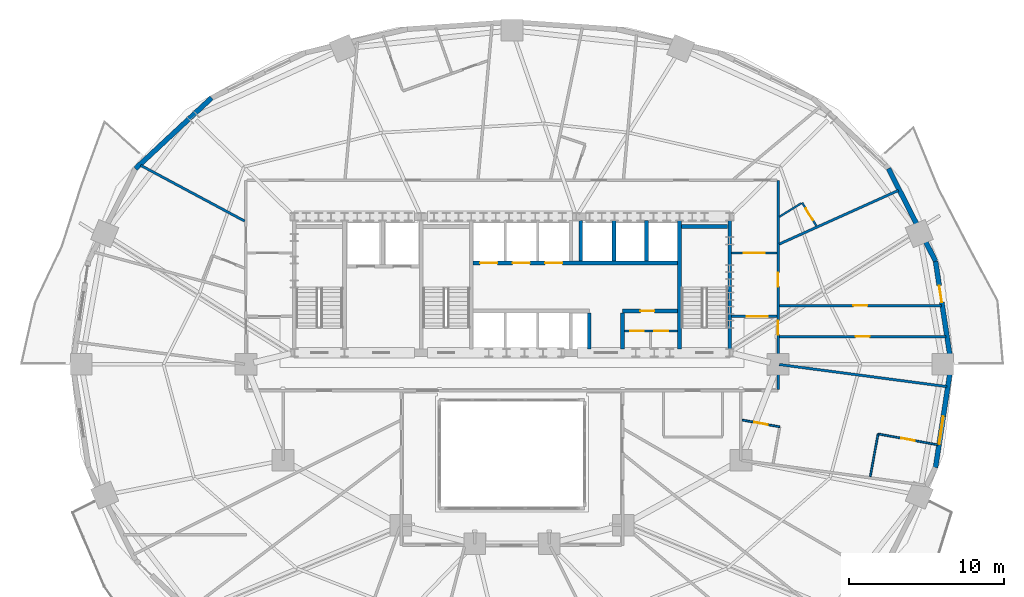
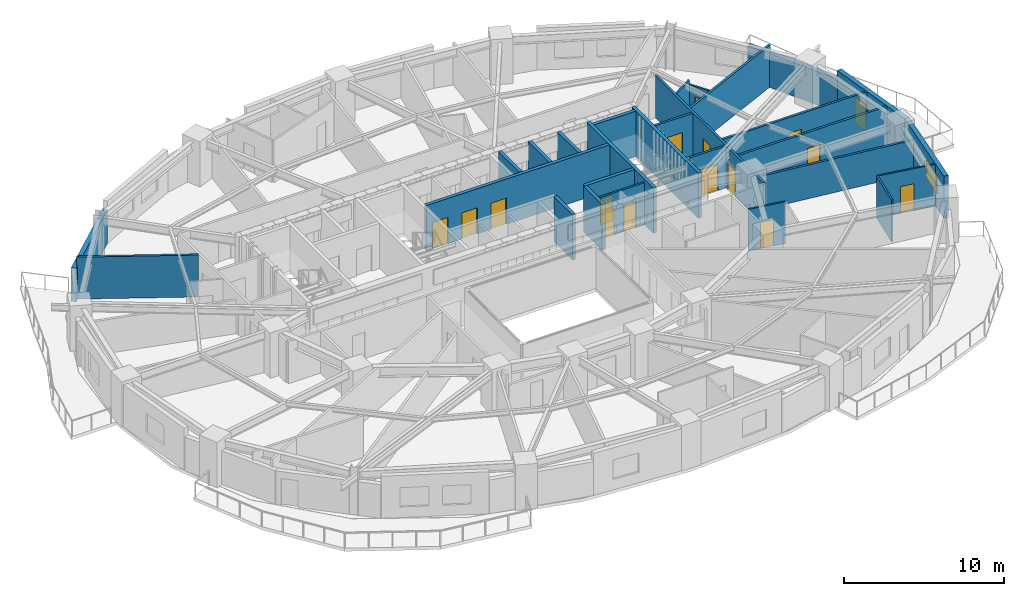
# One storey, part 10 of 15: 28 walls, 16 doors, 1 window, 17 openings.
"""IFC4 building model written with IfcOpenShell, lengths in metres."""

import ifcopenshell
import ifcopenshell.guid

model = None  # the IFC model being written
_history = None  # IfcOwnerHistory: only IFC2X3 demands one
_inside = {}  # id of a spatial element -> (the spatial element, [elements in it])
_under = {}  # id of a project, library or spatial element -> (it, [spatial elements below it])
_declared = {}  # id of a project -> (the project, [libraries it declares])
_typed = {}  # id of a type object -> (the type object, [elements of that type])
_made_of = {}  # id of a material, layer set ... -> (it, [elements and type objects made of it])


def new_model(schema):
    """Start an empty IFC model of exactly this schema.

    Asked for "IFC4X3", IfcOpenShell would pick the latest addendum, in which some entities
    have other attributes; the version numbers below select the first issue.
    IFC2X3 requires an IfcOwnerHistory on every rooted entity: one is made here for all.
    """
    global model, _history
    if schema == "IFC4X3":
        model = ifcopenshell.file(schema_version=(4, 3, 0, 0))
    else:
        model = ifcopenshell.file(schema=schema)
    _inside.clear()
    _under.clear()
    _declared.clear()
    _typed.clear()
    _made_of.clear()
    _history = None
    if model.schema == "IFC2X3":
        org = make("IfcOrganization", Name="unknown")
        user = make(
            "IfcPersonAndOrganization",
            ThePerson=make("IfcPerson", FamilyName="unknown"),
            TheOrganization=org,
        )
        app = make(
            "IfcApplication",
            ApplicationDeveloper=org,
            Version="unknown",
            ApplicationFullName="unknown",
            ApplicationIdentifier="unknown",
        )
        _history = make(
            "IfcOwnerHistory",
            OwningUser=user,
            OwningApplication=app,
            ChangeAction="ADDED",
            CreationDate=0,
        )
    return model


def make(cls, **values):
    """One entity of the class cls with the attributes given. An attribute that is None is left unset."""
    return model.create_entity(
        cls, **{name: value for name, value in values.items() if value is not None}
    )


def rooted(cls, **values):
    """An entity with a GlobalId (a new one), such as an element, a storey or a relation."""
    return make(cls, GlobalId=ifcopenshell.guid.new(), OwnerHistory=_history, **values)


def si_unit(unit_type, name, prefix=None):
    """IfcSIUnit, for example si_unit("LENGTHUNIT", "METRE", prefix="MILLI")."""
    return make("IfcSIUnit", UnitType=unit_type, Prefix=prefix, Name=name)


def assignment(units):
    """IfcUnitAssignment: the units of a project."""
    return None if units is None else make("IfcUnitAssignment", Units=units)


def point(xyz):
    """IfcCartesianPoint."""
    return None if xyz is None else make("IfcCartesianPoint", Coordinates=xyz)


def direction(xyz):
    """IfcDirection."""
    return None if xyz is None else make("IfcDirection", DirectionRatios=xyz)


def frame(location, z_axis=None, x_axis=None):
    """IfcAxis2Placement3D, a coordinate frame: its origin and axes. An axis left out is left unset."""
    return make(
        "IfcAxis2Placement3D",
        Location=point(location),
        Axis=direction(z_axis),
        RefDirection=direction(x_axis),
    )


def frame_2d(location, x_axis=None):
    """IfcAxis2Placement2D, a coordinate frame in the plane: its origin and x axis."""
    return make(
        "IfcAxis2Placement2D", Location=point(location), RefDirection=direction(x_axis)
    )


def origin():
    """The frame at (0, 0, 0) with its axes left unset."""
    return frame((0.0, 0.0, 0.0))


def place(relative_to, where):
    """IfcLocalPlacement: puts the frame where relative to a parent placement (None: the world)."""
    return make(
        "IfcLocalPlacement", PlacementRelTo=relative_to, RelativePlacement=where
    )


def context(
    kind, dimensions, precision=None, world=None, true_north=None, identifier=None
):
    """IfcGeometricRepresentationContext, for example the 3D "Model" context."""
    return make(
        "IfcGeometricRepresentationContext",
        ContextIdentifier=identifier,
        ContextType=kind,
        CoordinateSpaceDimension=dimensions,
        Precision=precision,
        WorldCoordinateSystem=world,
        TrueNorth=true_north,
    )


def subcontext(parent, identifier, kind, view, scale=None):
    """IfcGeometricRepresentationSubContext, for example "Body" below "Model"."""
    return make(
        "IfcGeometricRepresentationSubContext",
        ContextIdentifier=identifier,
        ContextType=kind,
        ParentContext=parent,
        TargetScale=scale,
        TargetView=view,
    )


def project(units=None, contexts=None):
    """IfcProject with its units and contexts."""
    return rooted(
        "IfcProject",
        Name="project",
        RepresentationContexts=contexts,
        UnitsInContext=assignment(units),
    )


def spatial(cls, under=None, at=None, **own):
    """A site, building, storey or space (cls), placed at a placement, below another one or the project."""
    s = rooted(cls, ObjectPlacement=at, **own)
    if under is not None:
        _under.setdefault(under.id(), (under, []))[1].append(s)
    return s


def profile(cls, at=None, kind="AREA", **sizes):
    """A parametric profile (cls). Its sizes go by their IFC names, for example OverallWidth=200.0."""
    return make(cls, ProfileType=kind, Position=at, **sizes)


def rectangle(**sizes):
    """IfcRectangleProfileDef."""
    return profile("IfcRectangleProfileDef", **sizes)


def extrude(swept, where, along, depth):
    """IfcExtrudedAreaSolid: the profile swept, set in the frame where, extruded along a direction by depth."""
    return make(
        "IfcExtrudedAreaSolid",
        SweptArea=swept,
        Position=where,
        ExtrudedDirection=direction(along),
        Depth=depth,
    )


def shape(context_of_items, identifier, shape_type, items):
    """IfcShapeRepresentation: the items that make up one representation, for example the "Body"."""
    return make(
        "IfcShapeRepresentation",
        ContextOfItems=context_of_items,
        RepresentationIdentifier=identifier,
        RepresentationType=shape_type,
        Items=items,
    )


def material(Name=None, Category=None):
    """IfcMaterial."""
    return make("IfcMaterial", Name=Name, Category=Category)


def layer(
    of_material, thickness, ventilated=None, Name=None, Category=None, Priority=None
):
    """IfcMaterialLayer: one layer of a wall or slab, of a material (None: an air gap)."""
    return make(
        "IfcMaterialLayer",
        Material=of_material,
        LayerThickness=thickness,
        IsVentilated=ventilated,
        Name=Name,
        Category=Category,
        Priority=Priority,
    )


def layer_set(layers, Name=None):
    """IfcMaterialLayerSet."""
    return make("IfcMaterialLayerSet", MaterialLayers=layers, LayerSetName=Name)


def made_of(thing, what):
    """Note that an element or type object is made of a material, layer set ...; save() writes the relation."""
    if what is not None:
        _made_of.setdefault(what.id(), (what, []))[1].append(thing)
    return thing


def type_object(cls, material=None, **own):
    """A type object (cls), such as IfcWallType, which elements share."""
    return made_of(rooted(cls, **own), material)


def element(
    cls,
    number,
    at=None,
    inside=None,
    cuts=None,
    type_object=None,
    material=None,
    context=None,
    identifier="Body",
    shape_type=None,
    held_by="IfcProductDefinitionShape",
    body=None,
    shapes=None,
    **own,
):
    """One element of the class cls, such as IfcWall. Its Tag is "e" and its number.

    at: its placement. inside: the storey or other place that contains it. cuts: it is an
    opening in that element (IfcRelVoidsElement). A single representation is given by context,
    identifier, shape_type and body (its items); several are given by shapes. held_by: the class
    of the entity that holds the representations. save() writes the other relations.
    """
    e = rooted(cls, Tag="e%d" % number, ObjectPlacement=at, **own)
    if body is not None:
        shapes = [shape(context, identifier, shape_type, body)]
    if shapes is not None:
        e.Representation = make(held_by, Representations=shapes)
    if inside is not None:
        _inside.setdefault(inside.id(), (inside, []))[1].append(e)
    if cuts is not None:
        rooted(
            "IfcRelVoidsElement", RelatingBuildingElement=cuts, RelatedOpeningElement=e
        )
    if type_object is not None:
        _typed.setdefault(type_object.id(), (type_object, []))[1].append(e)
    return made_of(e, material)


def fill(opening, filler):
    """IfcRelFillsElement: the door or window that sits in an opening."""
    return rooted(
        "IfcRelFillsElement",
        RelatingOpeningElement=opening,
        RelatedBuildingElement=filler,
    )


def aggregate(whole, parts):
    """IfcRelAggregates: a whole, such as a stair, and the parts it consists of."""
    return rooted("IfcRelAggregates", RelatingObject=whole, RelatedObjects=parts)


def save(model, path):
    """Write the relations noted so far, then the file.

    IfcRelAggregates (storeys below a building ...), IfcRelContainedInSpatialStructure (elements
    in a storey), IfcRelDefinesByType, IfcRelAssociatesMaterial and IfcRelDeclares: one each for
    every whole, place, type object, material and project.
    """
    for whole, parts in _under.values():
        aggregate(whole, parts)
    for where, things in _inside.values():
        rooted(
            "IfcRelContainedInSpatialStructure",
            RelatedElements=things,
            RelatingStructure=where,
        )
    for kind, things in _typed.values():
        rooted("IfcRelDefinesByType", RelatedObjects=things, RelatingType=kind)
    for what, things in _made_of.values():
        rooted("IfcRelAssociatesMaterial", RelatedObjects=things, RelatingMaterial=what)
    for by, libraries in _declared.values():
        rooted("IfcRelDeclares", RelatingContext=by, RelatedDefinitions=libraries)
    model.write(path)


model = new_model("IFC4")

# Units and contexts
model_context = context("Model", 3, precision=1e-05, world=origin(), true_north=direction((0.0, 1.0)))
body_context = subcontext(model_context, "Body", "Model", "MODEL_VIEW")
ifc_project = project(units=[si_unit("LENGTHUNIT", "METRE"), si_unit("AREAUNIT", "SQUARE_METRE"), si_unit("VOLUMEUNIT", "CUBIC_METRE"), si_unit("PLANEANGLEUNIT", "RADIAN"), si_unit("MASSUNIT", "GRAM", prefix="KILO")], contexts=[model_context])

# Site, building, storey
site_placement = place(None, origin())
site = spatial("IfcSite", under=ifc_project, at=site_placement, CompositionType="ELEMENT")
building_placement = place(site_placement, origin())
building = spatial("IfcBuilding", under=site, at=building_placement, Name="Haldorwick Loom Tower", CompositionType="ELEMENT")
storey_placement = place(building_placement, frame((0.0, 0.0, 81.800048828125)))
storey = spatial("IfcBuildingStorey", under=building, at=storey_placement, Name="L21", CompositionType="ELEMENT", Elevation=81.800048828125)

# Wall, opening, door
ifc_material_1 = material(Name="Pressed Clay Face Brick and Insulated Masonry Backup Assembly", Category="masonry")
ifc_layer_1 = layer(ifc_material_1, 0.320068359375, Name="Pressed Clay Face Brick and Insulated Masonry Backup Assembly", Category="masonry")
ifc_layer_set_1 = layer_set([ifc_layer_1], Name="Pressed Clay Face Brick and Insulated Masonry Backup Assembly")
wall_type_1 = type_object("IfcWallType", Name="ARC-WL-EXT320", PredefinedType="STANDARD", material=ifc_layer_set_1)
wall_1_placement = place(storey_placement, frame((64.397705078125, 26.0, 0.0), z_axis=(0.0, 0.0, 1.0), x_axis=(-0.150633288003, 0.988589708901, 0.0)))
wall_1 = element("IfcWall", 1, at=wall_1_placement, inside=storey, type_object=wall_type_1, Name="L21 Brick Pier and Spandrel Wall 1", PredefinedType="STANDARD", context=body_context, shape_type="SweptSolid", body=[
    extrude(rectangle(XDim=6.752197265625, YDim=0.320068359375, at=frame_2d((3.3759765625, 0.0))), origin(), (0.0, 0.0, 1.0), 3.2099609375),
])
opening_1_placement = place(wall_1_placement, frame((4.069091796875, 0.0, 0.0)))
opening_1 = element("IfcOpeningElement", 2, at=opening_1_placement, cuts=wall_1, Name="Opening D-BL11", PredefinedType="OPENING", context=body_context, shape_type="SweptSolid", body=[
    extrude(rectangle(XDim=1.080078125, YDim=2.0400390625, at=frame_2d((0.5400390625, 1.02001953125))), frame((0.0, 0.169921875, 0.0), z_axis=(0.0, -1.0, 0.0), x_axis=(1.0, 0.0, 0.0)), (0.0, 0.0, 1.0), 0.340087890625),
])
ifc_material_2 = material(Name="Thermally Broken Anodized Aluminium Curtain Wall Framing", Category="aluminium")
door_type_1 = type_object("IfcDoorType", Name="ARC-DR-BAL110", OperationType="NOTDEFINED", PredefinedType="DOOR", material=ifc_material_2)
door_1_placement = place(opening_1_placement, origin())
door_1 = element("IfcDoor", 3, at=door_1_placement, inside=storey, type_object=door_type_1, Name="L21 Outdoor Terrace Door SLB-L21-BAL_ENE", OperationType="SINGLE_SWING_LEFT", OverallHeight=2.0400390625, OverallWidth=1.080078125, PredefinedType="DOOR", context=body_context, shape_type="SweptSolid", body=[
    extrude(rectangle(XDim=1.080078125, YDim=2.0400390625, at=frame_2d((0.5400390625, 1.02001953125))), frame((0.0, 0.02490234375, 0.0), z_axis=(0.0, -1.0, 0.0), x_axis=(1.0, 0.0, 0.0)), (0.0, 0.0, 1.0), 0.050048828125),
])
fill(opening_1, door_1)

# Walls
wall_2_placement = place(storey_placement, frame((63.380615234375, 32.675048828125, 0.0), z_axis=(0.0, 0.0, 1.0), x_axis=(-0.453374078001, 0.89132033826, 0.0)))
element("IfcWall", 4, at=wall_2_placement, inside=storey, type_object=wall_type_1, Name="L21 Brick Pier and Spandrel Wall 2", PredefinedType="STANDARD", context=body_context, shape_type="SweptSolid", body=[
    extrude(rectangle(XDim=6.709716796875, YDim=0.320068359375, at=frame_2d((3.35498046875, 0.0))), origin(), (0.0, 0.0, 1.0), 2.56884765625),
])
wall_3_placement = place(storey_placement, frame((16.573486328125, 43.2255859375, 0.0), z_axis=(0.0, 0.0, 1.0), x_axis=(-0.732137360086, -0.681157020052, 0.0)))
element("IfcWall", 5, at=wall_3_placement, inside=storey, type_object=wall_type_1, Name="L21 Brick Pier and Spandrel Wall 10", PredefinedType="STANDARD", context=body_context, shape_type="SweptSolid", body=[
    extrude(rectangle(XDim=6.709228515625, YDim=0.320068359375, at=frame_2d((3.3544921875, 0.0))), origin(), (0.0, 0.0, 1.0), 2.56884765625),
])

# Wall, opening, window
wall_4_placement = place(storey_placement, frame((63.380615234375, 19.324951171875, 0.0), z_axis=(0.0, 0.0, 1.0), x_axis=(0.150633288003, 0.988589708901, 0.0)))
wall_4 = element("IfcWall", 6, at=wall_4_placement, inside=storey, type_object=wall_type_1, Name="L21 Brick Pier and Spandrel Wall 24", PredefinedType="STANDARD", context=body_context, shape_type="SweptSolid", body=[
    extrude(rectangle(XDim=6.752197265625, YDim=0.320068359375, at=frame_2d((3.3759765625, 0.0))), origin(), (0.0, 0.0, 1.0), 3.2099609375),
])
opening_2_placement = place(wall_4_placement, frame((1.54345703125, 0.0, 0.800048828125)))
opening_2 = element("IfcOpeningElement", 7, at=opening_2_placement, cuts=wall_4, Name="Opening W-01", PredefinedType="OPENING", context=body_context, shape_type="SweptSolid", body=[
    extrude(rectangle(XDim=1.800048828125, YDim=1.47998046875, at=frame_2d((0.89990234375, 0.739990234375))), frame((0.0, 0.169921875, 0.0), z_axis=(0.0, -1.0, 0.0), x_axis=(1.0, 0.0, 0.0)), (0.0, 0.0, 1.0), 0.340087890625),
])
ifc_material_3 = material(Name="Triple-Glazed Low-E Argon Insulated Glazing Unit", Category="glass")
window_type = type_object("IfcWindowType", Name="ARC-WIN-W180", PartitioningType="SINGLE_PANEL", PredefinedType="WINDOW", material=ifc_material_3)
window_placement = place(opening_2_placement, origin())
window = element("IfcWindow", 8, at=window_placement, inside=storey, type_object=window_type, Name="L21 Deep-Set Zone 7A Window 24", OverallHeight=1.47998046875, OverallWidth=1.800048828125, PartitioningType="SINGLE_PANEL", PredefinedType="WINDOW", context=body_context, shape_type="SweptSolid", body=[
    extrude(rectangle(XDim=1.800048828125, YDim=1.47998046875, at=frame_2d((0.89990234375, 0.739990234375))), frame((0.0, 0.030029296875, 0.0), z_axis=(0.0, -1.0, 0.0), x_axis=(1.0, 0.0, 0.0)), (0.0, 0.0, 1.0), 0.06005859375),
])
fill(opening_2, window)

# Wall, openings, doors
ifc_material_4 = material(Name="Fire-Rated Type X Gypsum Stud Assembly EI 60")
ifc_layer_2 = layer(ifc_material_4, 0.159912109375, Name="Fire-Rated Type X Gypsum Stud Assembly EI 60")
ifc_layer_set_2 = layer_set([ifc_layer_2], Name="Fire-Rated Type X Gypsum Stud Assembly EI 60")
wall_type_2 = type_object("IfcWallType", Name="ARC-WL-FIRE160", PredefinedType="PARTITIONING", material=ifc_layer_set_2)
wall_5_placement = place(storey_placement, frame((53.199951171875, 24.383056640625, 0.0), z_axis=(0.0, 0.0, 1.0), x_axis=(0.0, 1.0, 0.0)))
wall_5 = element("IfcWall", 9, at=wall_5_placement, inside=storey, type_object=wall_type_2, Name="L21 Residential Fire Partition L21-CR-E0", PredefinedType="PARTITIONING", context=body_context, shape_type="SweptSolid", body=[
    extrude(rectangle(XDim=13.516845703125, YDim=0.159912109375, at=frame_2d((6.75830078125, 0.0))), origin(), (0.0, 0.0, 1.0), 3.195068359375),
])
opening_3_placement = place(wall_5_placement, frame((3.53857421875, 0.0, 0.0)))
opening_3 = element("IfcOpeningElement", 10, at=opening_3_placement, cuts=wall_5, Name="Opening D-FD60A", PredefinedType="OPENING", context=body_context, shape_type="SweptSolid", body=[
    extrude(rectangle(XDim=0.89990234375, YDim=2.0, at=frame_2d((0.449951171875, 1.0))), frame((0.0, 0.08984375, 0.0), z_axis=(0.0, -1.0, 0.0), x_axis=(1.0, 0.0, 0.0)), (0.0, 0.0, 1.0), 0.179931640625),
])
opening_4_placement = place(wall_5_placement, frame((6.640869140625, 0.0, 0.0)))
opening_4 = element("IfcOpeningElement", 11, at=opening_4_placement, cuts=wall_5, Name="Opening D-FD60A", PredefinedType="OPENING", context=body_context, shape_type="SweptSolid", body=[
    extrude(rectangle(XDim=0.89990234375, YDim=2.0, at=frame_2d((0.449951171875, 1.0))), frame((0.0, 0.08984375, 0.0), z_axis=(0.0, -1.0, 0.0), x_axis=(1.0, 0.0, 0.0)), (0.0, 0.0, 1.0), 0.179931640625),
])
ifc_material_5 = material(Name="Hollow Steel Fire Door Assembly", Category="steel")
door_type_2 = type_object("IfcDoorType", Name="ARC-DR-FD60-90", OperationType="NOTDEFINED", PredefinedType="DOOR", material=ifc_material_5)
door_2_placement = place(opening_3_placement, origin())
door_2 = element("IfcDoor", 12, at=door_2_placement, inside=storey, type_object=door_type_2, Name="L21 L21 Central Residential Corridor to L21 East Daylight Corridor Door", OperationType="SINGLE_SWING_LEFT", OverallHeight=2.0, OverallWidth=0.89990234375, PredefinedType="DOOR", context=body_context, shape_type="SweptSolid", body=[
    extrude(rectangle(XDim=0.89990234375, YDim=2.0, at=frame_2d((0.449951171875, 1.0))), frame((0.0, 0.02490234375, 0.0), z_axis=(0.0, -1.0, 0.0), x_axis=(1.0, 0.0, 0.0)), (0.0, 0.0, 1.0), 0.050048828125),
])
fill(opening_3, door_2)
door_3_placement = place(opening_4_placement, origin())
door_3 = element("IfcDoor", 13, at=door_3_placement, inside=storey, type_object=door_type_2, Name="L21 L21 East Residential Corridor to Shared Resident Dining Hall 4 Door", OperationType="SINGLE_SWING_LEFT", OverallHeight=2.0, OverallWidth=0.89990234375, PredefinedType="DOOR", context=body_context, shape_type="SweptSolid", body=[
    extrude(rectangle(XDim=0.89990234375, YDim=2.0, at=frame_2d((0.449951171875, 1.0))), frame((0.0, 0.02490234375, 0.0), z_axis=(0.0, -1.0, 0.0), x_axis=(1.0, 0.0, 0.0)), (0.0, 0.0, 1.0), 0.050048828125),
])
fill(opening_4, door_3)

# Wall, opening, door
wall_6_placement = place(storey_placement, frame((50.193115234375, 29.10009765625, 0.0), z_axis=(0.0, 0.0, 1.0), x_axis=(1.0, 0.0, 0.0)))
wall_6 = element("IfcWall", 14, at=wall_6_placement, inside=storey, type_object=wall_type_2, Name="L21 Residential Fire Partition L21-CR-ESJ", PredefinedType="PARTITIONING", context=body_context, shape_type="SweptSolid", body=[
    extrude(rectangle(XDim=2.923828125, YDim=0.159912109375, at=frame_2d((1.4619140625, 0.0))), origin(), (0.0, 0.0, 1.0), 3.195068359375),
])
opening_5_placement = place(wall_6_placement, frame((0.99560546875, 0.0, 0.0)))
opening_5 = element("IfcOpeningElement", 15, at=opening_5_placement, cuts=wall_6, Name="Opening D-CR15", PredefinedType="OPENING", context=body_context, shape_type="SweptSolid", body=[
    extrude(rectangle(XDim=1.35009765625, YDim=2.0, at=frame_2d((0.675048828125, 1.0))), frame((0.0, 0.08984375, 0.0), z_axis=(0.0, -1.0, 0.0), x_axis=(1.0, 0.0, 0.0)), (0.0, 0.0, 1.0), 0.179931640625),
])
ifc_material_6 = material(Name="Thermally Broken Anodized Aluminium and Tempered Glass", Category="aluminium")
door_type_3 = type_object("IfcDoorType", Name="ARC-DR-COR150", OperationType="NOTDEFINED", PredefinedType="DOOR", material=ifc_material_6)
door_4_placement = place(opening_5_placement, origin())
door_4 = element("IfcDoor", 16, at=door_4_placement, inside=storey, type_object=door_type_3, Name="L21 L21 East Residential Corridor to L21 Central Residential Corridor Do", OperationType="DOUBLE_DOOR_SINGLE_SWING", OverallHeight=2.0, OverallWidth=1.35009765625, PredefinedType="DOOR", context=body_context, shape_type="SweptSolid", body=[
    extrude(rectangle(XDim=1.35009765625, YDim=2.0, at=frame_2d((0.675048828125, 1.0))), frame((0.0, 0.02490234375, 0.0), z_axis=(0.0, -1.0, 0.0), x_axis=(1.0, 0.0, 0.0)), (0.0, 0.0, 1.0), 0.050048828125),
])
fill(opening_5, door_4)

wall_7_placement = place(storey_placement, frame((50.193115234375, 33.199951171875, 0.0), z_axis=(0.0, 0.0, 1.0), x_axis=(1.0, 0.0, 0.0)))
wall_7 = element("IfcWall", 17, at=wall_7_placement, inside=storey, type_object=wall_type_2, Name="L21 Residential Fire Partition L21-CR-ENJ", PredefinedType="PARTITIONING", context=body_context, shape_type="SweptSolid", body=[
    extrude(rectangle(XDim=2.923828125, YDim=0.159912109375, at=frame_2d((1.4619140625, 0.0))), origin(), (0.0, 0.0, 1.0), 3.195068359375),
])
opening_6_placement = place(wall_7_placement, frame((0.787109375, 0.0, 0.0)))
opening_6 = element("IfcOpeningElement", 18, at=opening_6_placement, cuts=wall_7, Name="Opening D-CR15", PredefinedType="OPENING", context=body_context, shape_type="SweptSolid", body=[
    extrude(rectangle(XDim=1.35009765625, YDim=2.0, at=frame_2d((0.675048828125, 1.0))), frame((0.0, 0.08984375, 0.0), z_axis=(0.0, -1.0, 0.0), x_axis=(1.0, 0.0, 0.0)), (0.0, 0.0, 1.0), 0.179931640625),
])
door_5_placement = place(opening_6_placement, origin())
door_5 = element("IfcDoor", 19, at=door_5_placement, inside=storey, type_object=door_type_3, Name="L21 L21 North Residential Corridor to L21 East Residential Corridor Door", OperationType="DOUBLE_DOOR_SINGLE_SWING", OverallHeight=2.0, OverallWidth=1.35009765625, PredefinedType="DOOR", context=body_context, shape_type="SweptSolid", body=[
    extrude(rectangle(XDim=1.35009765625, YDim=2.0, at=frame_2d((0.675048828125, 1.0))), frame((0.0, 0.02490234375, 0.0), z_axis=(0.0, -1.0, 0.0), x_axis=(1.0, 0.0, 0.0)), (0.0, 0.0, 1.0), 0.050048828125),
])
fill(opening_6, door_5)

wall_8_placement = place(storey_placement, frame((53.282958984375, 27.800048828125, 0.0), z_axis=(0.0, 0.0, 1.0), x_axis=(1.0, 0.0, 0.0)))
wall_8 = element("IfcWall", 20, at=wall_8_placement, inside=storey, type_object=wall_type_2, Name="L21 Residential Fire Partition L21-CR-GE0", PredefinedType="PARTITIONING", context=body_context, shape_type="SweptSolid", body=[
    extrude(rectangle(XDim=10.774658203125, YDim=0.159912109375, at=frame_2d((5.38720703125, 0.0))), origin(), (0.0, 0.0, 1.0), 3.195068359375),
])
opening_7_placement = place(wall_8_placement, frame((4.937255859375, 0.0, 0.0)))
opening_7 = element("IfcOpeningElement", 21, at=opening_7_placement, cuts=wall_8, Name="Opening D-FD60A", PredefinedType="OPENING", context=body_context, shape_type="SweptSolid", body=[
    extrude(rectangle(XDim=0.89990234375, YDim=2.0, at=frame_2d((0.449951171875, 1.0))), frame((0.0, 0.08984375, 0.0), z_axis=(0.0, -1.0, 0.0), x_axis=(1.0, 0.0, 0.0)), (0.0, 0.0, 1.0), 0.179931640625),
])
door_6_placement = place(opening_7_placement, origin())
door_6 = element("IfcDoor", 22, at=door_6_placement, inside=storey, type_object=door_type_2, Name="L21 L21 East Daylight Corridor to Co-Working Office 3 Door", OperationType="SINGLE_SWING_RIGHT", OverallHeight=2.0, OverallWidth=0.89990234375, PredefinedType="DOOR", context=body_context, shape_type="SweptSolid", body=[
    extrude(rectangle(XDim=0.89990234375, YDim=2.0, at=frame_2d((0.449951171875, 1.0))), frame((0.0, 0.02490234375, 0.0), z_axis=(0.0, -1.0, 0.0), x_axis=(1.0, 0.0, 0.0)), (0.0, 0.0, 1.0), 0.050048828125),
])
fill(opening_7, door_6)

wall_9_placement = place(storey_placement, frame((53.282958984375, 29.800048828125, 0.0), z_axis=(0.0, 0.0, 1.0), x_axis=(1.0, 0.0, 0.0)))
wall_9 = element("IfcWall", 23, at=wall_9_placement, inside=storey, type_object=wall_type_2, Name="L21 Residential Fire Partition L21-CR-GE1", PredefinedType="PARTITIONING", context=body_context, shape_type="SweptSolid", body=[
    extrude(rectangle(XDim=10.4697265625, YDim=0.159912109375, at=frame_2d((5.23486328125, 0.0))), origin(), (0.0, 0.0, 1.0), 3.195068359375),
])
opening_8_placement = place(wall_9_placement, frame((4.784912109375, 0.0, 0.0)))
opening_8 = element("IfcOpeningElement", 24, at=opening_8_placement, cuts=wall_9, Name="Opening D-FD60A", PredefinedType="OPENING", context=body_context, shape_type="SweptSolid", body=[
    extrude(rectangle(XDim=0.89990234375, YDim=2.0, at=frame_2d((0.449951171875, 1.0))), frame((0.0, 0.08984375, 0.0), z_axis=(0.0, -1.0, 0.0), x_axis=(1.0, 0.0, 0.0)), (0.0, 0.0, 1.0), 0.179931640625),
])
door_7_placement = place(opening_8_placement, frame((0.89990234375, 0.0, 0.0), z_axis=(0.0, 0.0, 1.0), x_axis=(-1.0, 0.0, 0.0)))
door_7 = element("IfcDoor", 25, at=door_7_placement, inside=storey, type_object=door_type_2, Name="L21 Shared Resident Dining Hall 4 to L21 East Daylight Corridor Door", OperationType="SINGLE_SWING_LEFT", OverallHeight=2.0, OverallWidth=0.89990234375, PredefinedType="DOOR", context=body_context, shape_type="SweptSolid", body=[
    extrude(rectangle(XDim=0.89990234375, YDim=2.0, at=frame_2d((0.449951171875, 1.0))), frame((0.0, 0.02490234375, 0.0), z_axis=(0.0, -1.0, 0.0), x_axis=(1.0, 0.0, 0.0)), (0.0, 0.0, 1.0), 0.050048828125),
])
fill(opening_8, door_7)

# Walls
wall_10_placement = place(storey_placement, frame((53.282958984375, 25.989013671875, 0.0), z_axis=(0.0, 0.0, 1.0), x_axis=(0.991444783686, -0.130526782315, 0.0)))
element("IfcWall", 26, at=wall_10_placement, inside=storey, type_object=wall_type_2, Name="L21 Residential Fire Partition L21-ICR-01", PredefinedType="PARTITIONING", context=body_context, shape_type="SweptSolid", body=[
    extrude(rectangle(XDim=10.92333984375, YDim=0.159912109375, at=frame_2d((5.461669921875, 0.0))), origin(), (0.0, 0.0, 1.0), 2.56787109375),
])
wall_11_placement = place(storey_placement, frame((18.717041015625, 35.26318359375, 0.0), z_axis=(0.0, 0.0, 1.0), x_axis=(-0.8813791741, 0.472409516694, 0.0)))
element("IfcWall", 27, at=wall_11_placement, inside=storey, type_object=wall_type_2, Name="L21 Suite Split Wall", PredefinedType="PARTITIONING", context=body_context, shape_type="SweptSolid", body=[
    extrude(rectangle(XDim=7.63525390625, YDim=0.159912109375, at=frame_2d((3.817626953125, 0.0))), origin(), (0.0, 0.0, 1.0), 3.195068359375),
])
wall_12_placement = place(storey_placement, frame((53.282958984375, 33.780029296875, 0.0), z_axis=(0.0, 0.0, 1.0), x_axis=(0.911868479781, 0.4104824912, 0.0)))
element("IfcWall", 28, at=wall_12_placement, inside=storey, type_object=wall_type_2, Name="L21 Suite Split Wall", PredefinedType="PARTITIONING", context=body_context, shape_type="SweptSolid", body=[
    extrude(rectangle(XDim=8.44384765625, YDim=0.159912109375, at=frame_2d((4.221923828125, 0.0))), origin(), (0.0, 0.0, 1.0), 3.195068359375),
])

# Wall, opening, door
ifc_material_7 = material(Name="Acoustic Gypsum Stud Assembly STC 55")
ifc_layer_3 = layer(ifc_material_7, 0.1201171875, Name="Acoustic Gypsum Stud Assembly STC 55")
ifc_layer_set_3 = layer_set([ifc_layer_3], Name="Acoustic Gypsum Stud Assembly STC 55")
wall_type_3 = type_object("IfcWallType", Name="ARC-WL-PART120", PredefinedType="PARTITIONING", material=ifc_layer_set_3)
wall_13_placement = place(storey_placement, frame((50.883056640625, 22.40185546875, 0.0), z_axis=(0.0, 0.0, 1.0), x_axis=(0.983817630046, -0.179172740146, 0.0)))
wall_13 = element("IfcWall", 29, at=wall_13_placement, inside=storey, type_object=wall_type_3, Name="L21 Unit 21B Interior Partition", PredefinedType="PARTITIONING", context=body_context, shape_type="SweptSolid", body=[
    extrude(rectangle(XDim=2.4677734375, YDim=0.1201171875, at=frame_2d((1.23388671875, 0.0))), origin(), (0.0, 0.0, 1.0), 3.195068359375),
])
opening_9_placement = place(wall_13_placement, frame((0.793701171875, 0.0, 0.0)))
opening_9 = element("IfcOpeningElement", 30, at=opening_9_placement, cuts=wall_13, Name="Opening D-BT88", PredefinedType="OPENING", context=body_context, shape_type="SweptSolid", body=[
    extrude(rectangle(XDim=0.8798828125, YDim=2.02001953125, at=frame_2d((0.43994140625, 1.010009765625))), frame((0.0, 0.070068359375, 0.0), z_axis=(0.0, -1.0, 0.0), x_axis=(1.0, 0.0, 0.0)), (0.0, 0.0, 1.0), 0.14013671875),
])
ifc_material_8 = material(Name="Solid Core Birch Architectural Door")
door_type_4 = type_object("IfcDoorType", Name="ARC-DR-BATH88", OperationType="NOTDEFINED", PredefinedType="DOOR", material=ifc_material_8)
door_8_placement = place(opening_9_placement, origin())
door_8 = element("IfcDoor", 31, at=door_8_placement, inside=storey, type_object=door_type_4, Name="L21 Unit 21B Kitchen and Living Room to Unit 21B Bathroom Door", OperationType="SINGLE_SWING_LEFT", OverallHeight=2.02001953125, OverallWidth=0.8798828125, PredefinedType="DOOR", context=body_context, shape_type="SweptSolid", body=[
    extrude(rectangle(XDim=0.8798828125, YDim=2.02001953125, at=frame_2d((0.43994140625, 1.010009765625))), frame((0.0, 0.02490234375, 0.0), z_axis=(0.0, -1.0, 0.0), x_axis=(1.0, 0.0, 0.0)), (0.0, 0.0, 1.0), 0.050048828125),
])
fill(opening_9, door_8)

# Wall
wall_14_placement = place(storey_placement, frame((59.163330078125, 18.74853515625, 0.0), z_axis=(0.0, 0.0, 1.0), x_axis=(0.179246186382, 0.983804251194, 0.0)))
element("IfcWall", 32, at=wall_14_placement, inside=storey, type_object=wall_type_3, Name="L21 Unit 21B Interior Partition", PredefinedType="PARTITIONING", context=body_context, shape_type="SweptSolid", body=[
    extrude(rectangle(XDim=2.799072265625, YDim=0.1201171875, at=frame_2d((1.3994140625, 0.0))), origin(), (0.0, 0.0, 1.0), 3.195068359375),
])

# Wall, opening, door
wall_15_placement = place(storey_placement, frame((59.6650390625, 21.502197265625, 0.0), z_axis=(0.0, 0.0, 1.0), x_axis=(0.983805366882, -0.179240062746, 0.0)))
wall_15 = element("IfcWall", 33, at=wall_15_placement, inside=storey, type_object=wall_type_3, Name="L21 Unit 21B Interior Partition", PredefinedType="PARTITIONING", context=body_context, shape_type="SweptSolid", body=[
    extrude(rectangle(XDim=3.937744140625, YDim=0.1201171875, at=frame_2d((1.96875, 0.0))), origin(), (0.0, 0.0, 1.0), 3.195068359375),
])
opening_10_placement = place(wall_15_placement, frame((1.518798828125, 0.0, 0.0)))
opening_10 = element("IfcOpeningElement", 34, at=opening_10_placement, cuts=wall_15, Name="Opening D-IN90", PredefinedType="OPENING", context=body_context, shape_type="SweptSolid", body=[
    extrude(rectangle(XDim=0.89990234375, YDim=2.0400390625, at=frame_2d((0.449951171875, 1.02001953125))), frame((0.0, 0.070068359375, 0.0), z_axis=(0.0, -1.0, 0.0), x_axis=(1.0, 0.0, 0.0)), (0.0, 0.0, 1.0), 0.14013671875),
])
door_type_5 = type_object("IfcDoorType", Name="ARC-DR-INT90", OperationType="NOTDEFINED", PredefinedType="DOOR", material=ifc_material_8)
door_9_placement = place(opening_10_placement, origin())
door_9 = element("IfcDoor", 35, at=door_9_placement, inside=storey, type_object=door_type_5, Name="L21 Unit 21B Kitchen and Living Room to Unit 21B Bedroom 1 Door", OperationType="SINGLE_SWING_RIGHT", OverallHeight=2.0400390625, OverallWidth=0.89990234375, PredefinedType="DOOR", context=body_context, shape_type="SweptSolid", body=[
    extrude(rectangle(XDim=0.89990234375, YDim=2.0400390625, at=frame_2d((0.449951171875, 1.02001953125))), frame((0.0, 0.02490234375, 0.0), z_axis=(0.0, -1.0, 0.0), x_axis=(1.0, 0.0, 0.0)), (0.0, 0.0, 1.0), 0.050048828125),
])
fill(opening_10, door_9)

wall_16_placement = place(storey_placement, frame((55.681640625, 34.950927734375, 0.0), z_axis=(0.0, 0.0, 1.0), x_axis=(-0.523501526712, 0.852024736455, 0.0)))
wall_16 = element("IfcWall", 36, at=wall_16_placement, inside=storey, type_object=wall_type_3, Name="L21 Unit 21M Interior Partition", PredefinedType="PARTITIONING", context=body_context, shape_type="SweptSolid", body=[
    extrude(rectangle(XDim=1.760498046875, YDim=0.1201171875, at=frame_2d((0.88037109375, 0.0))), origin(), (0.0, 0.0, 1.0), 2.826904296875),
])
opening_11_placement = place(wall_16_placement, frame((0.440185546875, 0.0, 0.0)))
opening_11 = element("IfcOpeningElement", 37, at=opening_11_placement, cuts=wall_16, Name="Opening D-BT88", PredefinedType="OPENING", context=body_context, shape_type="SweptSolid", body=[
    extrude(rectangle(XDim=0.8798828125, YDim=2.02001953125, at=frame_2d((0.43994140625, 1.010009765625))), frame((0.0, 0.070068359375, 0.0), z_axis=(0.0, -1.0, 0.0), x_axis=(1.0, 0.0, 0.0)), (0.0, 0.0, 1.0), 0.14013671875),
])
door_10_placement = place(opening_11_placement, origin())
door_10 = element("IfcDoor", 38, at=door_10_placement, inside=storey, type_object=door_type_4, Name="L21 Unit 21M Bathroom to Unit 21M Kitchen and Studio Living Room Door", OperationType="SINGLE_SWING_LEFT", OverallHeight=2.02001953125, OverallWidth=0.8798828125, PredefinedType="DOOR", context=body_context, shape_type="SweptSolid", body=[
    extrude(rectangle(XDim=0.8798828125, YDim=2.02001953125, at=frame_2d((0.43994140625, 1.010009765625))), frame((0.0, 0.02490234375, 0.0), z_axis=(0.0, -1.0, 0.0), x_axis=(1.0, 0.0, 0.0)), (0.0, 0.0, 1.0), 0.050048828125),
])
fill(opening_11, door_10)

# Wall
wall_17_placement = place(storey_placement, frame((53.282958984375, 35.543212890625, 0.0), z_axis=(0.0, 0.0, 1.0), x_axis=(0.851964238623, 0.523599977185, 0.0)))
element("IfcWall", 39, at=wall_17_placement, inside=storey, type_object=wall_type_3, Name="L21 Unit 21M Interior Partition", PredefinedType="PARTITIONING", context=body_context, shape_type="SweptSolid", body=[
    extrude(rectangle(XDim=1.670654296875, YDim=0.1201171875, at=frame_2d((0.83544921875, 0.0))), origin(), (0.0, 0.0, 1.0), 3.195068359375),
])

# Wall, openings, doors
ifc_layer_4 = layer(ifc_material_4, 0.139892578125, Name="Fire-Rated Type X Gypsum Stud Assembly EI 60")
ifc_layer_set_4 = layer_set([ifc_layer_4], Name="Fire-Rated Type X Gypsum Stud Assembly EI 60")
wall_type_4 = type_object("IfcWallType", Name="ARC-WL-PART140", PredefinedType="PARTITIONING", material=ifc_layer_set_4)
wall_18_placement = place(storey_placement, frame((43.27294921875, 28.159912109375, 0.0), z_axis=(0.0, 0.0, 1.0), x_axis=(1.0, 0.0, 0.0)))
wall_18 = element("IfcWall", 40, at=wall_18_placement, inside=storey, type_object=wall_type_4, Name="L21 Telecom Partition", PredefinedType="PARTITIONING", context=body_context, shape_type="SweptSolid", body=[
    extrude(rectangle(XDim=3.43408203125, YDim=0.139892578125, at=frame_2d((1.717041015625, 0.0))), origin(), (0.0, 0.0, 1.0), 3.195068359375),
])
opening_12_placement = place(wall_18_placement, frame((0.366943359375, 0.0, 0.0)))
opening_12 = element("IfcOpeningElement", 41, at=opening_12_placement, cuts=wall_18, Name="Opening D-BT88", PredefinedType="OPENING", context=body_context, shape_type="SweptSolid", body=[
    extrude(rectangle(XDim=0.8798828125, YDim=2.02001953125, at=frame_2d((0.43994140625, 1.010009765625))), frame((0.0, 0.079833984375, 0.0), z_axis=(0.0, -1.0, 0.0), x_axis=(1.0, 0.0, 0.0)), (0.0, 0.0, 1.0), 0.159912109375),
])
opening_13_placement = place(wall_18_placement, frame((1.93701171875, 0.0, 0.0)))
opening_13 = element("IfcOpeningElement", 42, at=opening_13_placement, cuts=wall_18, Name="Opening D-BT88", PredefinedType="OPENING", context=body_context, shape_type="SweptSolid", body=[
    extrude(rectangle(XDim=0.8798828125, YDim=2.02001953125, at=frame_2d((0.43994140625, 1.010009765625))), frame((0.0, 0.079833984375, 0.0), z_axis=(0.0, -1.0, 0.0), x_axis=(1.0, 0.0, 0.0)), (0.0, 0.0, 1.0), 0.159912109375),
])
door_11_placement = place(opening_12_placement, origin())
door_11 = element("IfcDoor", 43, at=door_11_placement, inside=storey, type_object=door_type_4, Name="L21 Telecom Room Door", OperationType="SINGLE_SWING_LEFT", OverallHeight=2.02001953125, OverallWidth=0.8798828125, PredefinedType="DOOR", context=body_context, shape_type="SweptSolid", body=[
    extrude(rectangle(XDim=0.8798828125, YDim=2.02001953125, at=frame_2d((0.43994140625, 1.010009765625))), frame((0.0, 0.02490234375, 0.0), z_axis=(0.0, -1.0, 0.0), x_axis=(1.0, 0.0, 0.0)), (0.0, 0.0, 1.0), 0.050048828125),
])
fill(opening_12, door_11)
door_12_placement = place(opening_13_placement, origin())
door_12 = element("IfcDoor", 44, at=door_12_placement, inside=storey, type_object=door_type_4, Name="L21 Metering Closet Door", OperationType="SINGLE_SWING_RIGHT", OverallHeight=2.02001953125, OverallWidth=0.8798828125, PredefinedType="DOOR", context=body_context, shape_type="SweptSolid", body=[
    extrude(rectangle(XDim=0.8798828125, YDim=2.02001953125, at=frame_2d((0.43994140625, 1.010009765625))), frame((0.0, 0.02490234375, 0.0), z_axis=(0.0, -1.0, 0.0), x_axis=(1.0, 0.0, 0.0)), (0.0, 0.0, 1.0), 0.050048828125),
])
fill(opening_13, door_12)

# Walls
ifc_material_9 = material(Name="Concrete C50 (50 MPa)", Category="concrete")
ifc_layer_5 = layer(ifc_material_9, 0.239990234375, Name="Concrete C50 (50 MPa)", Category="concrete")
ifc_layer_set_5 = layer_set([ifc_layer_5], Name="Concrete C50 (50 MPa)")
wall_type_5 = type_object("IfcWallType", Name="STR-WL-SHAFT240", PredefinedType="SHEAR", material=ifc_layer_set_5)
for number, where, z_axis, x_axis, name in (
    (45, (50.070068359375, 27.0029296875, 0.0), (0.0, 0.0, 1.0), (0.0, 1.0, 0.0), "L21 Core Shear Wall E"),
    (46, (46.830078125, 27.0029296875, 0.0), (0.0, 0.0, 1.0), (0.0, 1.0, 0.0), "L21 Core Shear Wall 4"),
):
    element("IfcWall", number, at=place(storey_placement, frame(where, z_axis=z_axis, x_axis=x_axis)), inside=storey, type_object=wall_type_5, Name=name, PredefinedType="SHEAR", context=body_context, shape_type="SweptSolid", body=[
        extrude(rectangle(XDim=8.294189453125, YDim=0.239990234375, at=frame_2d((4.14697265625, 0.0))), origin(), (0.0, 0.0, 1.0), 3.449951171875),
    ])
wall_19_placement = place(storey_placement, frame((46.952880859375, 34.919921875, 0.0), z_axis=(0.0, 0.0, 1.0), x_axis=(1.0, 0.0, 0.0)))
element("IfcWall", 47, at=wall_19_placement, inside=storey, type_object=wall_type_5, Name="L21 Core Shear Wall 4N", PredefinedType="SHEAR", context=body_context, shape_type="SweptSolid", body=[
    extrude(rectangle(XDim=2.994140625, YDim=0.239990234375, at=frame_2d((1.4970703125, 0.0))), origin(), (0.0, 0.0, 1.0), 3.449951171875),
])

# Wall, openings, doors
wall_20_placement = place(storey_placement, frame((33.492919921875, 32.550048828125, 0.0), z_axis=(0.0, 0.0, 1.0), x_axis=(1.0, 0.0, 0.0)))
wall_20 = element("IfcWall", 48, at=wall_20_placement, inside=storey, type_object=wall_type_5, Name="L21 Core Shear Wall LN", PredefinedType="SHEAR", context=body_context, shape_type="SweptSolid", body=[
    extrude(rectangle(XDim=13.214111328125, YDim=0.239990234375, at=frame_2d((6.60693359375, 0.0))), origin(), (0.0, 0.0, 1.0), 3.449951171875),
])
opening_14_placement = place(wall_20_placement, frame((0.447021484375, 0.0, 0.0)))
opening_14 = element("IfcOpeningElement", 49, at=opening_14_placement, cuts=wall_20, Name="Opening LD-L1", PredefinedType="OPENING", context=body_context, shape_type="SweptSolid", body=[
    extrude(rectangle(XDim=1.1201171875, YDim=2.0, at=frame_2d((0.56005859375, 1.0))), frame((0.0, 0.1298828125, 0.0), z_axis=(0.0, -1.0, 0.0), x_axis=(1.0, 0.0, 0.0)), (0.0, 0.0, 1.0), 0.260009765625),
])
opening_15_placement = place(wall_20_placement, frame((2.547119140625, 0.0, 0.0)))
opening_15 = element("IfcOpeningElement", 50, at=opening_15_placement, cuts=wall_20, Name="Opening LD-L2", PredefinedType="OPENING", context=body_context, shape_type="SweptSolid", body=[
    extrude(rectangle(XDim=1.1201171875, YDim=2.0, at=frame_2d((0.56005859375, 1.0))), frame((0.0, 0.1298828125, 0.0), z_axis=(0.0, -1.0, 0.0), x_axis=(1.0, 0.0, 0.0)), (0.0, 0.0, 1.0), 0.260009765625),
])
opening_16_placement = place(wall_20_placement, frame((4.64697265625, 0.0, 0.0)))
opening_16 = element("IfcOpeningElement", 51, at=opening_16_placement, cuts=wall_20, Name="Opening LD-L3", PredefinedType="OPENING", context=body_context, shape_type="SweptSolid", body=[
    extrude(rectangle(XDim=1.1201171875, YDim=2.0, at=frame_2d((0.56005859375, 1.0))), frame((0.0, 0.1298828125, 0.0), z_axis=(0.0, -1.0, 0.0), x_axis=(1.0, 0.0, 0.0)), (0.0, 0.0, 1.0), 0.260009765625),
])
door_type_6 = type_object("IfcDoorType", Name="ARC-DR-LD-PAX", OperationType="NOTDEFINED", PredefinedType="USERDEFINED", material=ifc_material_5)
door_13_placement = place(opening_14_placement, origin())
door_13 = element("IfcDoor", 52, at=door_13_placement, inside=storey, type_object=door_type_6, Name="L21 Lift LF-L1 Sliding Landing Door", ObjectType="LANDING DOOR", OperationType="DOUBLE_DOOR_SLIDING", OverallHeight=2.0, OverallWidth=1.1201171875, PredefinedType="USERDEFINED", context=body_context, shape_type="SweptSolid", body=[
    extrude(rectangle(XDim=1.1201171875, YDim=2.0, at=frame_2d((0.56005859375, 1.0))), frame((0.0, 0.02490234375, 0.0), z_axis=(0.0, -1.0, 0.0), x_axis=(1.0, 0.0, 0.0)), (0.0, 0.0, 1.0), 0.050048828125),
])
fill(opening_14, door_13)
door_14_placement = place(opening_15_placement, origin())
door_14 = element("IfcDoor", 53, at=door_14_placement, inside=storey, type_object=door_type_6, Name="L21 Lift LF-L2 Sliding Landing Door", ObjectType="LANDING DOOR", OperationType="DOUBLE_DOOR_SLIDING", OverallHeight=2.0, OverallWidth=1.1201171875, PredefinedType="USERDEFINED", context=body_context, shape_type="SweptSolid", body=[
    extrude(rectangle(XDim=1.1201171875, YDim=2.0, at=frame_2d((0.56005859375, 1.0))), frame((0.0, 0.02490234375, 0.0), z_axis=(0.0, -1.0, 0.0), x_axis=(1.0, 0.0, 0.0)), (0.0, 0.0, 1.0), 0.050048828125),
])
fill(opening_15, door_14)
door_15_placement = place(opening_16_placement, origin())
door_15 = element("IfcDoor", 54, at=door_15_placement, inside=storey, type_object=door_type_6, Name="L21 Lift LF-L3 Sliding Landing Door", ObjectType="LANDING DOOR", OperationType="DOUBLE_DOOR_SLIDING", OverallHeight=2.0, OverallWidth=1.1201171875, PredefinedType="USERDEFINED", context=body_context, shape_type="SweptSolid", body=[
    extrude(rectangle(XDim=1.1201171875, YDim=2.0, at=frame_2d((0.56005859375, 1.0))), frame((0.0, 0.02490234375, 0.0), z_axis=(0.0, -1.0, 0.0), x_axis=(1.0, 0.0, 0.0)), (0.0, 0.0, 1.0), 0.050048828125),
])
fill(opening_16, door_15)

# Wall, opening, door
wall_21_placement = place(storey_placement, frame((43.14990234375, 29.449951171875, 0.0), z_axis=(0.0, 0.0, 1.0), x_axis=(1.0, 0.0, 0.0)))
wall_21 = element("IfcWall", 55, at=wall_21_placement, inside=storey, type_object=wall_type_5, Name="L21 Core Shear Wall LS2", PredefinedType="SHEAR", context=body_context, shape_type="SweptSolid", body=[
    extrude(rectangle(XDim=3.55712890625, YDim=0.239990234375, at=frame_2d((1.778564453125, 0.0))), origin(), (0.0, 0.0, 1.0), 3.449951171875),
])
opening_17_placement = place(wall_21_placement, frame((1.14990234375, 0.0, 0.0)))
opening_17 = element("IfcOpeningElement", 56, at=opening_17_placement, cuts=wall_21, Name="Opening D-FD60A", PredefinedType="OPENING", context=body_context, shape_type="SweptSolid", body=[
    extrude(rectangle(XDim=0.89990234375, YDim=2.0, at=frame_2d((0.449951171875, 1.0))), frame((0.0, 0.1298828125, 0.0), z_axis=(0.0, -1.0, 0.0), x_axis=(1.0, 0.0, 0.0)), (0.0, 0.0, 1.0), 0.260009765625),
])
door_16_placement = place(opening_17_placement, origin())
door_16 = element("IfcDoor", 57, at=door_16_placement, inside=storey, type_object=door_type_2, Name="L21 Janitor Closet Door", OperationType="SINGLE_SWING_LEFT", OverallHeight=2.0, OverallWidth=0.89990234375, PredefinedType="DOOR", context=body_context, shape_type="SweptSolid", body=[
    extrude(rectangle(XDim=0.89990234375, YDim=2.0, at=frame_2d((0.449951171875, 1.0))), frame((0.0, 0.02490234375, 0.0), z_axis=(0.0, -1.0, 0.0), x_axis=(1.0, 0.0, 0.0)), (0.0, 0.0, 1.0), 0.050048828125),
])
fill(opening_17, door_16)

# Walls
for number, where, z_axis, x_axis, name in (
    (58, (41.0, 27.0029296875, 0.0), (0.0, 0.0, 1.0), (0.0, 1.0, 0.0), "L21 Core Shear Wall THW"),
    (59, (43.14990234375, 27.0029296875, 0.0), (0.0, 0.0, 1.0), (0.0, 1.0, 0.0), "L21 Core Shear Wall THE"),
):
    element("IfcWall", number, at=place(storey_placement, frame(where, z_axis=z_axis, x_axis=x_axis)), inside=storey, type_object=wall_type_5, Name=name, PredefinedType="SHEAR", context=body_context, shape_type="SweptSolid", body=[
        extrude(rectangle(XDim=2.323974609375, YDim=0.239990234375, at=frame_2d((1.162109375, 0.0))), origin(), (0.0, 0.0, 1.0), 3.449951171875),
    ])
for number, where, z_axis, x_axis, name in (
    (60, (40.449951171875, 32.673095703125, 0.0), (0.0, 0.0, 1.0), (0.0, 1.0, 0.0), "L21 Core Shear Wall H0"),
    (61, (42.60009765625, 32.673095703125, 0.0), (0.0, 0.0, 1.0), (0.0, 1.0, 0.0), "L21 Core Shear Wall H1"),
    (62, (44.699951171875, 32.673095703125, 0.0), (0.0, 0.0, 1.0), (0.0, 1.0, 0.0), "L21 Core Shear Wall H2"),
):
    element("IfcWall", number, at=place(storey_placement, frame(where, z_axis=z_axis, x_axis=x_axis)), inside=storey, type_object=wall_type_5, Name=name, PredefinedType="SHEAR", context=body_context, shape_type="SweptSolid", body=[
        extrude(rectangle(XDim=2.6240234375, YDim=0.239990234375, at=frame_2d((1.31201171875, 0.0))), origin(), (0.0, 0.0, 1.0), 3.449951171875),
    ])

save(model, "model.ifc")
